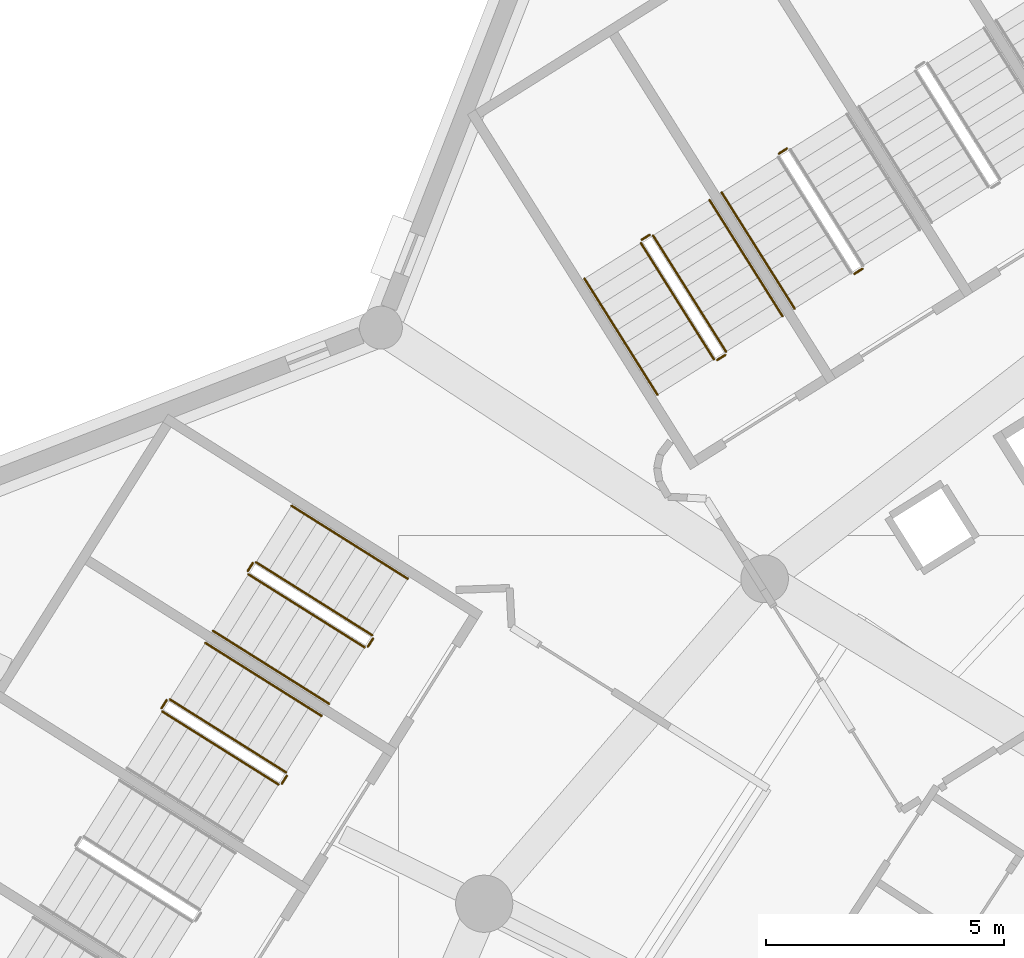
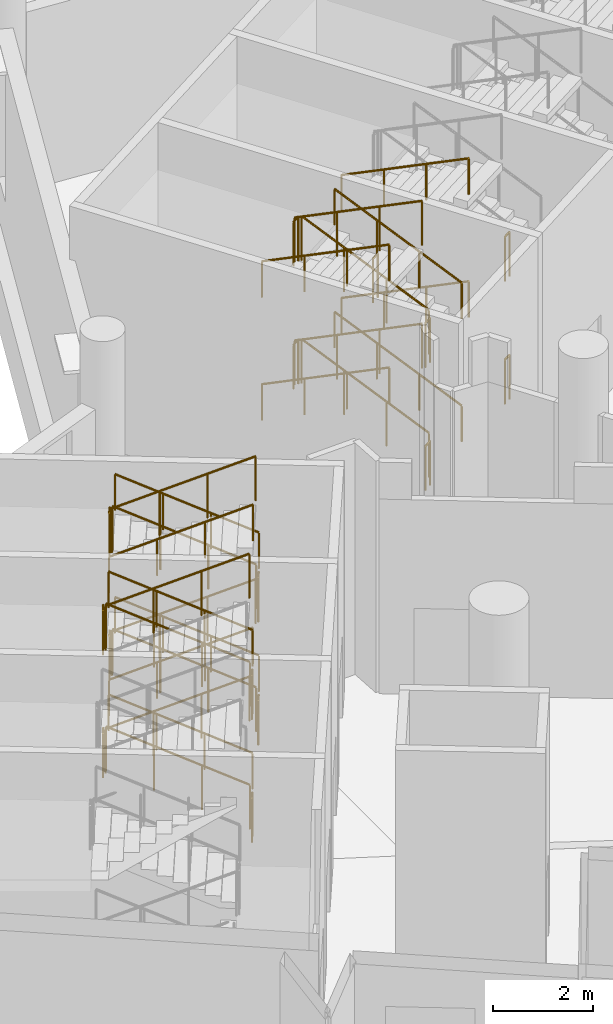
# One storey, part 234 of 249: 39 railings.
"""IFC4 building model written with IfcOpenShell, lengths in metres."""

from ifc_helpers import new_model, si_unit, direction, frame, origin, origin_2d, place, context, subcontext, project, spatial, circle, extrude, material, type_object, element, save


model = new_model("IFC4")

# Units and contexts
model_context = context("Model", 3, precision=1e-05, world=origin(), true_north=direction((0.0, 1.0)))
body_context = subcontext(model_context, "Body", "Model", "MODEL_VIEW")
ifc_project = project(units=[si_unit("LENGTHUNIT", "METRE"), si_unit("AREAUNIT", "SQUARE_METRE"), si_unit("VOLUMEUNIT", "CUBIC_METRE"), si_unit("PLANEANGLEUNIT", "RADIAN"), si_unit("MASSUNIT", "GRAM", prefix="KILO")], contexts=[model_context])

# Site, building, storey
site_placement = place(None, origin())
site = spatial("IfcSite", under=ifc_project, at=site_placement, CompositionType="ELEMENT")
building_placement = place(site_placement, origin())
building = spatial("IfcBuilding", under=site, at=building_placement, Name="Meseta Stadium", CompositionType="ELEMENT")
storey_placement = place(building_placement, frame((0.0, 0.0, 12.0)))
storey = spatial("IfcBuildingStorey", under=building, at=storey_placement, Name="L02", CompositionType="ELEMENT", Elevation=12.0)

# Railings
ifc_material_1 = material(Name="Steel S355", Category="steel")
railing_type_1 = type_object("IfcRailingType", Name="Stair guard 1100", PredefinedType="GUARDRAIL", material=ifc_material_1)
for number, where, name in (
    (1, (-71.84423828125, 88.12353515625, 1.5), "ST51 L02 guard 2"),
    (2, (-70.2587890625, 85.600341796875, 3.0), "ST51 L02 guard 4"),
    (3, (-70.2587890625, 85.600341796875, 0.0), "ST51 L02 guard 8"),
):
    element("IfcRailing", number, at=place(storey_placement, frame(where)), inside=storey, type_object=railing_type_1, Name=name, PredefinedType="GUARDRAIL", context=body_context, shape_type="SweptSolid", body=[
        extrude(circle(Radius=0.02392578125, at=origin_2d()), frame((0.0, 0.0, 1.076171875), z_axis=(-0.846416356806, -0.532521690573, 0.0), x_axis=(0.532521690573, -0.846416356806, 0.0)), (0.0, 0.0, 1.0), 0.199951171875),
        extrude(circle(Radius=0.02099609375, at=origin_2d()), origin(), (0.0, 0.0, 1.0), 1.052001953125),
        extrude(circle(Radius=0.02099609375, at=origin_2d()), frame((-0.169189453125, -0.1064453125, 0.0)), (0.0, 0.0, 1.0), 1.052001953125),
    ])
railing_1_placement = place(storey_placement, frame((-73.121826171875, 83.8603515625, 0.14990234375)))
element("IfcRailing", 4, at=railing_1_placement, inside=storey, type_object=railing_type_1, Name="ST52 L02 guard 1", PredefinedType="GUARDRAIL", context=body_context, shape_type="SweptSolid", body=[
    extrude(circle(Radius=0.02392578125, at=origin_2d()), frame((0.0, 0.0, 1.076171875), z_axis=(-0.481731036161, 0.766655447606, 0.424469826318), x_axis=(-0.846719477248, -0.53203959143, 0.0)), (0.0, 0.0, 1.0), 3.1806640625),
    extrude(circle(Radius=0.02099609375, at=origin_2d()), origin(), (0.0, 0.0, 1.0), 1.052001953125),
    extrude(circle(Radius=0.02099609375, at=origin_2d()), frame((-0.5107421875, 0.812744140625, 0.449951171875)), (0.0, 0.0, 1.0), 1.052001953125),
    extrude(circle(Radius=0.02099609375, at=origin_2d()), frame((-1.021484375, 1.625732421875, 0.900146484375)), (0.0, 0.0, 1.0), 1.052001953125),
    extrude(circle(Radius=0.02099609375, at=origin_2d()), frame((-1.5322265625, 2.4384765625, 1.35009765625)), (0.0, 0.0, 1.0), 1.052001953125),
])
railing_2_placement = place(storey_placement, frame((-74.72314453125, 86.314453125, 1.5)))
element("IfcRailing", 5, at=railing_2_placement, inside=storey, type_object=railing_type_1, Name="ST52 L02 guard 2", PredefinedType="GUARDRAIL", context=body_context, shape_type="SweptSolid", body=[
    extrude(circle(Radius=0.02392578125, at=origin_2d()), frame((0.0, 0.0, 1.076171875), z_axis=(-0.846966780732, -0.531645814745, 0.0), x_axis=(0.531645814745, -0.846966780732, 0.0)), (0.0, 0.0, 1.0), 0.19970703125),
    extrude(circle(Radius=0.02099609375, at=origin_2d()), origin(), (0.0, 0.0, 1.0), 1.052001953125),
    extrude(circle(Radius=0.02099609375, at=origin_2d()), frame((-0.169189453125, -0.106201171875, 0.0)), (0.0, 0.0, 1.0), 1.052001953125),
])
railing_3_placement = place(storey_placement, frame((-74.908203125, 86.13916015625, 1.64990234375)))
element("IfcRailing", 6, at=railing_3_placement, inside=storey, type_object=railing_type_1, Name="ST52 L02 guard 3", PredefinedType="GUARDRAIL", context=body_context, shape_type="SweptSolid", body=[
    extrude(circle(Radius=0.02392578125, at=origin_2d()), frame((0.0, 0.0, 1.076171875), z_axis=(0.481731036161, -0.766655447606, 0.424469826318), x_axis=(0.846719477248, 0.53203959143, 0.0)), (0.0, 0.0, 1.0), 3.1806640625),
    extrude(circle(Radius=0.02099609375, at=origin_2d()), origin(), (0.0, 0.0, 1.0), 1.052001953125),
    extrude(circle(Radius=0.02099609375, at=origin_2d()), frame((0.5107421875, -0.812744140625, 0.449951171875)), (0.0, 0.0, 1.0), 1.052001953125),
    extrude(circle(Radius=0.02099609375, at=origin_2d()), frame((1.021484375, -1.625732421875, 0.900146484375)), (0.0, 0.0, 1.0), 1.052001953125),
    extrude(circle(Radius=0.02099609375, at=origin_2d()), frame((1.5322265625, -2.4384765625, 1.35009765625)), (0.0, 0.0, 1.0), 1.052001953125),
])
railing_4_placement = place(storey_placement, frame((-73.1376953125, 83.791259765625, 3.0)))
element("IfcRailing", 7, at=railing_4_placement, inside=storey, type_object=railing_type_1, Name="ST52 L02 guard 4", PredefinedType="GUARDRAIL", context=body_context, shape_type="SweptSolid", body=[
    extrude(circle(Radius=0.02392578125, at=origin_2d()), frame((0.0, 0.0, 1.076171875), z_axis=(-0.846416356806, -0.532521690573, 0.0), x_axis=(0.532521690573, -0.846416356806, 0.0)), (0.0, 0.0, 1.0), 0.199951171875),
    extrude(circle(Radius=0.02099609375, at=origin_2d()), origin(), (0.0, 0.0, 1.0), 1.052001953125),
    extrude(circle(Radius=0.02099609375, at=origin_2d()), frame((-0.169189453125, -0.1064453125, 0.0)), (0.0, 0.0, 1.0), 1.052001953125),
])
railing_5_placement = place(storey_placement, frame((-73.121826171875, 83.8603515625, 3.14990234375)))
element("IfcRailing", 8, at=railing_5_placement, inside=storey, type_object=railing_type_1, Name="ST52 L02 guard 5", PredefinedType="GUARDRAIL", context=body_context, shape_type="SweptSolid", body=[
    extrude(circle(Radius=0.02392578125, at=origin_2d()), frame((0.0, 0.0, 1.076171875), z_axis=(-0.481731036161, 0.766655447606, 0.424469826318), x_axis=(-0.846719477248, -0.53203959143, 0.0)), (0.0, 0.0, 1.0), 3.1806640625),
    extrude(circle(Radius=0.02099609375, at=origin_2d()), origin(), (0.0, 0.0, 1.0), 1.052001953125),
    extrude(circle(Radius=0.02099609375, at=origin_2d()), frame((-0.5107421875, 0.812744140625, 0.449951171875)), (0.0, 0.0, 1.0), 1.052001953125),
    extrude(circle(Radius=0.02099609375, at=origin_2d()), frame((-1.021484375, 1.625732421875, 0.900146484375)), (0.0, 0.0, 1.0), 1.052001953125),
    extrude(circle(Radius=0.02099609375, at=origin_2d()), frame((-1.5322265625, 2.4384765625, 1.35009765625)), (0.0, 0.0, 1.0), 1.052001953125),
])
railing_6_placement = place(storey_placement, frame((-74.72314453125, 86.314453125, 4.5)))
element("IfcRailing", 9, at=railing_6_placement, inside=storey, type_object=railing_type_1, Name="ST52 L02 guard 6", PredefinedType="GUARDRAIL", context=body_context, shape_type="SweptSolid", body=[
    extrude(circle(Radius=0.02392578125, at=origin_2d()), frame((0.0, 0.0, 1.076171875), z_axis=(-0.846966780732, -0.531645814745, 0.0), x_axis=(0.531645814745, -0.846966780732, 0.0)), (0.0, 0.0, 1.0), 0.19970703125),
    extrude(circle(Radius=0.02099609375, at=origin_2d()), origin(), (0.0, 0.0, 1.0), 1.052001953125),
    extrude(circle(Radius=0.02099609375, at=origin_2d()), frame((-0.169189453125, -0.106201171875, 0.0)), (0.0, 0.0, 1.0), 1.052001953125),
])
railing_7_placement = place(storey_placement, frame((-74.908203125, 86.13916015625, 4.64990234375)))
element("IfcRailing", 10, at=railing_7_placement, inside=storey, type_object=railing_type_1, Name="ST52 L02 guard 7", PredefinedType="GUARDRAIL", context=body_context, shape_type="SweptSolid", body=[
    extrude(circle(Radius=0.02392578125, at=origin_2d()), frame((0.0, 0.0, 1.076171875), z_axis=(0.481731036161, -0.766655447606, 0.424469826318), x_axis=(0.846719477248, 0.53203959143, 0.0)), (0.0, 0.0, 1.0), 3.1806640625),
    extrude(circle(Radius=0.02099609375, at=origin_2d()), origin(), (0.0, 0.0, 1.0), 1.052001953125),
    extrude(circle(Radius=0.02099609375, at=origin_2d()), frame((0.5107421875, -0.812744140625, 0.449951171875)), (0.0, 0.0, 1.0), 1.052001953125),
    extrude(circle(Radius=0.02099609375, at=origin_2d()), frame((1.021484375, -1.625732421875, 0.900146484375)), (0.0, 0.0, 1.0), 1.052001953125),
    extrude(circle(Radius=0.02099609375, at=origin_2d()), frame((1.5322265625, -2.4384765625, 1.35009765625)), (0.0, 0.0, 1.0), 1.052001953125),
])
railing_8_placement = place(storey_placement, frame((-73.1376953125, 83.791259765625, 0.0)))
element("IfcRailing", 11, at=railing_8_placement, inside=storey, type_object=railing_type_1, Name="ST52 L02 guard 8", PredefinedType="GUARDRAIL", context=body_context, shape_type="SweptSolid", body=[
    extrude(circle(Radius=0.02392578125, at=origin_2d()), frame((0.0, 0.0, 1.076171875), z_axis=(-0.846416356806, -0.532521690573, 0.0), x_axis=(0.532521690573, -0.846416356806, 0.0)), (0.0, 0.0, 1.0), 0.199951171875),
    extrude(circle(Radius=0.02099609375, at=origin_2d()), origin(), (0.0, 0.0, 1.0), 1.052001953125),
    extrude(circle(Radius=0.02099609375, at=origin_2d()), frame((-0.169189453125, -0.1064453125, 0.0)), (0.0, 0.0, 1.0), 1.052001953125),
])
railing_9_placement = place(storey_placement, frame((-80.54736328125, 77.907958984375, 0.14990234375)))
element("IfcRailing", 12, at=railing_9_placement, inside=storey, type_object=railing_type_1, Name="ST53 L02 guard 1", PredefinedType="GUARDRAIL", context=body_context, shape_type="SweptSolid", body=[
    extrude(circle(Radius=0.02392578125, at=origin_2d()), frame((0.0, 0.0, 1.076171875), z_axis=(-0.766655447606, 0.481731036161, 0.424469826318), x_axis=(-0.53203959143, -0.846719477248, 0.0)), (0.0, 0.0, 1.0), 3.1806640625),
    extrude(circle(Radius=0.02099609375, at=origin_2d()), origin(), (0.0, 0.0, 1.0), 1.052001953125),
    extrude(circle(Radius=0.02099609375, at=origin_2d()), frame((-0.812744140625, 0.5107421875, 0.449951171875)), (0.0, 0.0, 1.0), 1.052001953125),
    extrude(circle(Radius=0.02099609375, at=origin_2d()), frame((-1.625732421875, 1.021484375, 0.900146484375)), (0.0, 0.0, 1.0), 1.052001953125),
    extrude(circle(Radius=0.02099609375, at=origin_2d()), frame((-2.4384765625, 1.5322265625, 1.35009765625)), (0.0, 0.0, 1.0), 1.052001953125),
])
railing_10_placement = place(storey_placement, frame((-83.054931640625, 79.42431640625, 1.5)))
element("IfcRailing", 13, at=railing_10_placement, inside=storey, type_object=railing_type_1, Name="ST53 L02 guard 2", PredefinedType="GUARDRAIL", context=body_context, shape_type="SweptSolid", body=[
    extrude(circle(Radius=0.02392578125, at=origin_2d()), frame((0.0, 0.0, 1.076171875), z_axis=(-0.532521690573, -0.846416356806, 0.0), x_axis=(0.846416356806, -0.532521690573, 0.0)), (0.0, 0.0, 1.0), 0.199951171875),
    extrude(circle(Radius=0.02099609375, at=origin_2d()), origin(), (0.0, 0.0, 1.0), 1.052001953125),
    extrude(circle(Radius=0.02099609375, at=origin_2d()), frame((-0.1064453125, -0.169189453125, 0.0)), (0.0, 0.0, 1.0), 1.052001953125),
])
railing_11_placement = place(storey_placement, frame((-83.1455078125, 79.18603515625, 1.64990234375)))
element("IfcRailing", 14, at=railing_11_placement, inside=storey, type_object=railing_type_1, Name="ST53 L02 guard 3", PredefinedType="GUARDRAIL", context=body_context, shape_type="SweptSolid", body=[
    extrude(circle(Radius=0.02392578125, at=origin_2d()), frame((0.0, 0.0, 1.076171875), z_axis=(0.766655447606, -0.481731036161, 0.424469826318), x_axis=(0.53203959143, 0.846719477248, 0.0)), (0.0, 0.0, 1.0), 3.1806640625),
    extrude(circle(Radius=0.02099609375, at=origin_2d()), origin(), (0.0, 0.0, 1.0), 1.052001953125),
    extrude(circle(Radius=0.02099609375, at=origin_2d()), frame((0.812744140625, -0.5107421875, 0.449951171875)), (0.0, 0.0, 1.0), 1.052001953125),
    extrude(circle(Radius=0.02099609375, at=origin_2d()), frame((1.625732421875, -1.021484375, 0.900146484375)), (0.0, 0.0, 1.0), 1.052001953125),
    extrude(circle(Radius=0.02099609375, at=origin_2d()), frame((2.4384765625, -1.5322265625, 1.35009765625)), (0.0, 0.0, 1.0), 1.052001953125),
])
railing_12_placement = place(storey_placement, frame((-80.53173828125, 77.8388671875, 3.0)))
element("IfcRailing", 15, at=railing_12_placement, inside=storey, type_object=railing_type_1, Name="ST53 L02 guard 4", PredefinedType="GUARDRAIL", context=body_context, shape_type="SweptSolid", body=[
    extrude(circle(Radius=0.02392578125, at=origin_2d()), frame((0.0, 0.0, 1.076171875), z_axis=(-0.531645814745, -0.846966780732, 0.0), x_axis=(0.846966780732, -0.531645814745, 0.0)), (0.0, 0.0, 1.0), 0.19970703125),
    extrude(circle(Radius=0.02099609375, at=origin_2d()), origin(), (0.0, 0.0, 1.0), 1.052001953125),
    extrude(circle(Radius=0.02099609375, at=origin_2d()), frame((-0.106201171875, -0.169189453125, 0.0)), (0.0, 0.0, 1.0), 1.052001953125),
])
railing_13_placement = place(storey_placement, frame((-80.54736328125, 77.907958984375, 3.14990234375)))
element("IfcRailing", 16, at=railing_13_placement, inside=storey, type_object=railing_type_1, Name="ST53 L02 guard 5", PredefinedType="GUARDRAIL", context=body_context, shape_type="SweptSolid", body=[
    extrude(circle(Radius=0.02392578125, at=origin_2d()), frame((0.0, 0.0, 1.076171875), z_axis=(-0.766655447606, 0.481731036161, 0.424469826318), x_axis=(-0.53203959143, -0.846719477248, 0.0)), (0.0, 0.0, 1.0), 3.1806640625),
    extrude(circle(Radius=0.02099609375, at=origin_2d()), origin(), (0.0, 0.0, 1.0), 1.052001953125),
    extrude(circle(Radius=0.02099609375, at=origin_2d()), frame((-0.812744140625, 0.5107421875, 0.449951171875)), (0.0, 0.0, 1.0), 1.052001953125),
    extrude(circle(Radius=0.02099609375, at=origin_2d()), frame((-1.625732421875, 1.021484375, 0.900146484375)), (0.0, 0.0, 1.0), 1.052001953125),
    extrude(circle(Radius=0.02099609375, at=origin_2d()), frame((-2.4384765625, 1.5322265625, 1.35009765625)), (0.0, 0.0, 1.0), 1.052001953125),
])
railing_14_placement = place(storey_placement, frame((-83.054931640625, 79.42431640625, 4.5)))
element("IfcRailing", 17, at=railing_14_placement, inside=storey, type_object=railing_type_1, Name="ST53 L02 guard 6", PredefinedType="GUARDRAIL", context=body_context, shape_type="SweptSolid", body=[
    extrude(circle(Radius=0.02392578125, at=origin_2d()), frame((0.0, 0.0, 1.076171875), z_axis=(-0.532521690573, -0.846416356806, 0.0), x_axis=(0.846416356806, -0.532521690573, 0.0)), (0.0, 0.0, 1.0), 0.199951171875),
    extrude(circle(Radius=0.02099609375, at=origin_2d()), origin(), (0.0, 0.0, 1.0), 1.052001953125),
    extrude(circle(Radius=0.02099609375, at=origin_2d()), frame((-0.1064453125, -0.169189453125, 0.0)), (0.0, 0.0, 1.0), 1.052001953125),
])
railing_15_placement = place(storey_placement, frame((-83.1455078125, 79.18603515625, 4.64990234375)))
element("IfcRailing", 18, at=railing_15_placement, inside=storey, type_object=railing_type_1, Name="ST53 L02 guard 7", PredefinedType="GUARDRAIL", context=body_context, shape_type="SweptSolid", body=[
    extrude(circle(Radius=0.02392578125, at=origin_2d()), frame((0.0, 0.0, 1.076171875), z_axis=(0.766655447606, -0.481731036161, 0.424469826318), x_axis=(0.53203959143, 0.846719477248, 0.0)), (0.0, 0.0, 1.0), 3.1806640625),
    extrude(circle(Radius=0.02099609375, at=origin_2d()), origin(), (0.0, 0.0, 1.0), 1.052001953125),
    extrude(circle(Radius=0.02099609375, at=origin_2d()), frame((0.812744140625, -0.5107421875, 0.449951171875)), (0.0, 0.0, 1.0), 1.052001953125),
    extrude(circle(Radius=0.02099609375, at=origin_2d()), frame((1.625732421875, -1.021484375, 0.900146484375)), (0.0, 0.0, 1.0), 1.052001953125),
    extrude(circle(Radius=0.02099609375, at=origin_2d()), frame((2.4384765625, -1.5322265625, 1.35009765625)), (0.0, 0.0, 1.0), 1.052001953125),
])
railing_16_placement = place(storey_placement, frame((-80.53173828125, 77.8388671875, 0.0)))
element("IfcRailing", 19, at=railing_16_placement, inside=storey, type_object=railing_type_1, Name="ST53 L02 guard 8", PredefinedType="GUARDRAIL", context=body_context, shape_type="SweptSolid", body=[
    extrude(circle(Radius=0.02392578125, at=origin_2d()), frame((0.0, 0.0, 1.076171875), z_axis=(-0.531645814745, -0.846966780732, 0.0), x_axis=(0.846966780732, -0.531645814745, 0.0)), (0.0, 0.0, 1.0), 0.19970703125),
    extrude(circle(Radius=0.02099609375, at=origin_2d()), origin(), (0.0, 0.0, 1.0), 1.052001953125),
    extrude(circle(Radius=0.02099609375, at=origin_2d()), frame((-0.106201171875, -0.169189453125, 0.0)), (0.0, 0.0, 1.0), 1.052001953125),
])
railing_17_placement = place(storey_placement, frame((-82.356201171875, 75.029052734375, 0.14990234375)))
element("IfcRailing", 20, at=railing_17_placement, inside=storey, type_object=railing_type_1, Name="ST54 L02 guard 1", PredefinedType="GUARDRAIL", context=body_context, shape_type="SweptSolid", body=[
    extrude(circle(Radius=0.02392578125, at=origin_2d()), frame((0.0, 0.0, 1.076171875), z_axis=(-0.766687087345, 0.481702688975, 0.424444848635), x_axis=(-0.532001404082, -0.84674347122, 0.0)), (0.0, 0.0, 1.0), 3.180908203125),
    extrude(circle(Radius=0.02099609375, at=origin_2d()), origin(), (0.0, 0.0, 1.0), 1.052001953125),
    extrude(circle(Radius=0.02099609375, at=origin_2d()), frame((-0.81298828125, 0.5107421875, 0.449951171875)), (0.0, 0.0, 1.0), 1.052001953125),
    extrude(circle(Radius=0.02099609375, at=origin_2d()), frame((-1.625732421875, 1.021484375, 0.900146484375)), (0.0, 0.0, 1.0), 1.052001953125),
    extrude(circle(Radius=0.02099609375, at=origin_2d()), frame((-2.438720703125, 1.5322265625, 1.35009765625)), (0.0, 0.0, 1.0), 1.052001953125),
])
railing_18_placement = place(storey_placement, frame((-84.86376953125, 76.545654296875, 1.5)))
element("IfcRailing", 21, at=railing_18_placement, inside=storey, type_object=railing_type_1, Name="ST54 L02 guard 2", PredefinedType="GUARDRAIL", context=body_context, shape_type="SweptSolid", body=[
    extrude(circle(Radius=0.02392578125, at=origin_2d()), frame((0.0, 0.0, 1.076171875), z_axis=(-0.531971628011, -0.846762178531, 0.0), x_axis=(0.846762178531, -0.531971628011, 0.0)), (0.0, 0.0, 1.0), 0.2001953125),
    extrude(circle(Radius=0.02099609375, at=origin_2d()), origin(), (0.0, 0.0, 1.0), 1.052001953125),
    extrude(circle(Radius=0.02099609375, at=origin_2d()), frame((-0.1064453125, -0.16943359375, 0.0)), (0.0, 0.0, 1.0), 1.052001953125),
])
railing_19_placement = place(storey_placement, frame((-84.954345703125, 76.307373046875, 1.64990234375)))
element("IfcRailing", 22, at=railing_19_placement, inside=storey, type_object=railing_type_1, Name="ST54 L02 guard 3", PredefinedType="GUARDRAIL", context=body_context, shape_type="SweptSolid", body=[
    extrude(circle(Radius=0.02392578125, at=origin_2d()), frame((0.0, 0.0, 1.076171875), z_axis=(0.766655447606, -0.481731036161, 0.424469826318), x_axis=(0.53203959143, 0.846719477248, 0.0)), (0.0, 0.0, 1.0), 3.1806640625),
    extrude(circle(Radius=0.02099609375, at=origin_2d()), origin(), (0.0, 0.0, 1.0), 1.052001953125),
    extrude(circle(Radius=0.02099609375, at=origin_2d()), frame((0.812744140625, -0.5107421875, 0.449951171875)), (0.0, 0.0, 1.0), 1.052001953125),
    extrude(circle(Radius=0.02099609375, at=origin_2d()), frame((1.625732421875, -1.021484375, 0.900146484375)), (0.0, 0.0, 1.0), 1.052001953125),
    extrude(circle(Radius=0.02099609375, at=origin_2d()), frame((2.4384765625, -1.5322265625, 1.35009765625)), (0.0, 0.0, 1.0), 1.052001953125),
])
railing_20_placement = place(storey_placement, frame((-82.340576171875, 74.960205078125, 3.0)))
element("IfcRailing", 23, at=railing_20_placement, inside=storey, type_object=railing_type_1, Name="ST54 L02 guard 4", PredefinedType="GUARDRAIL", context=body_context, shape_type="SweptSolid", body=[
    extrude(circle(Radius=0.02392578125, at=origin_2d()), frame((0.0, 0.0, 1.076171875), z_axis=(-0.531971628011, -0.846762178531, 0.0), x_axis=(0.846762178531, -0.531971628011, 0.0)), (0.0, 0.0, 1.0), 0.2001953125),
    extrude(circle(Radius=0.02099609375, at=origin_2d()), origin(), (0.0, 0.0, 1.0), 1.052001953125),
    extrude(circle(Radius=0.02099609375, at=origin_2d()), frame((-0.1064453125, -0.16943359375, 0.0)), (0.0, 0.0, 1.0), 1.052001953125),
])
railing_21_placement = place(storey_placement, frame((-82.356201171875, 75.029052734375, 3.14990234375)))
element("IfcRailing", 24, at=railing_21_placement, inside=storey, type_object=railing_type_1, Name="ST54 L02 guard 5", PredefinedType="GUARDRAIL", context=body_context, shape_type="SweptSolid", body=[
    extrude(circle(Radius=0.02392578125, at=origin_2d()), frame((0.0, 0.0, 1.076171875), z_axis=(-0.766687087345, 0.481702688975, 0.424444848635), x_axis=(-0.532001404082, -0.84674347122, 0.0)), (0.0, 0.0, 1.0), 3.180908203125),
    extrude(circle(Radius=0.02099609375, at=origin_2d()), origin(), (0.0, 0.0, 1.0), 1.052001953125),
    extrude(circle(Radius=0.02099609375, at=origin_2d()), frame((-0.81298828125, 0.5107421875, 0.449951171875)), (0.0, 0.0, 1.0), 1.052001953125),
    extrude(circle(Radius=0.02099609375, at=origin_2d()), frame((-1.625732421875, 1.021484375, 0.900146484375)), (0.0, 0.0, 1.0), 1.052001953125),
    extrude(circle(Radius=0.02099609375, at=origin_2d()), frame((-2.438720703125, 1.5322265625, 1.35009765625)), (0.0, 0.0, 1.0), 1.052001953125),
])
railing_22_placement = place(storey_placement, frame((-84.86376953125, 76.545654296875, 4.5)))
element("IfcRailing", 25, at=railing_22_placement, inside=storey, type_object=railing_type_1, Name="ST54 L02 guard 6", PredefinedType="GUARDRAIL", context=body_context, shape_type="SweptSolid", body=[
    extrude(circle(Radius=0.02392578125, at=origin_2d()), frame((0.0, 0.0, 1.076171875), z_axis=(-0.531971628011, -0.846762178531, 0.0), x_axis=(0.846762178531, -0.531971628011, 0.0)), (0.0, 0.0, 1.0), 0.2001953125),
    extrude(circle(Radius=0.02099609375, at=origin_2d()), origin(), (0.0, 0.0, 1.0), 1.052001953125),
    extrude(circle(Radius=0.02099609375, at=origin_2d()), frame((-0.1064453125, -0.16943359375, 0.0)), (0.0, 0.0, 1.0), 1.052001953125),
])
railing_23_placement = place(storey_placement, frame((-84.954345703125, 76.307373046875, 4.64990234375)))
element("IfcRailing", 26, at=railing_23_placement, inside=storey, type_object=railing_type_1, Name="ST54 L02 guard 7", PredefinedType="GUARDRAIL", context=body_context, shape_type="SweptSolid", body=[
    extrude(circle(Radius=0.02392578125, at=origin_2d()), frame((0.0, 0.0, 1.076171875), z_axis=(0.766655447606, -0.481731036161, 0.424469826318), x_axis=(0.53203959143, 0.846719477248, 0.0)), (0.0, 0.0, 1.0), 3.1806640625),
    extrude(circle(Radius=0.02099609375, at=origin_2d()), origin(), (0.0, 0.0, 1.0), 1.052001953125),
    extrude(circle(Radius=0.02099609375, at=origin_2d()), frame((0.812744140625, -0.5107421875, 0.449951171875)), (0.0, 0.0, 1.0), 1.052001953125),
    extrude(circle(Radius=0.02099609375, at=origin_2d()), frame((1.625732421875, -1.021484375, 0.900146484375)), (0.0, 0.0, 1.0), 1.052001953125),
    extrude(circle(Radius=0.02099609375, at=origin_2d()), frame((2.4384765625, -1.5322265625, 1.35009765625)), (0.0, 0.0, 1.0), 1.052001953125),
])
railing_24_placement = place(storey_placement, frame((-82.340576171875, 74.960205078125, 0.0)))
element("IfcRailing", 27, at=railing_24_placement, inside=storey, type_object=railing_type_1, Name="ST54 L02 guard 8", PredefinedType="GUARDRAIL", context=body_context, shape_type="SweptSolid", body=[
    extrude(circle(Radius=0.02392578125, at=origin_2d()), frame((0.0, 0.0, 1.076171875), z_axis=(-0.531971628011, -0.846762178531, 0.0), x_axis=(0.846762178531, -0.531971628011, 0.0)), (0.0, 0.0, 1.0), 0.2001953125),
    extrude(circle(Radius=0.02099609375, at=origin_2d()), origin(), (0.0, 0.0, 1.0), 1.052001953125),
    extrude(circle(Radius=0.02099609375, at=origin_2d()), frame((-0.1064453125, -0.16943359375, 0.0)), (0.0, 0.0, 1.0), 1.052001953125),
])
ifc_material_2 = material(Name="Steel S355", Category="steel")
railing_type_2 = type_object("IfcRailingType", Name="Stair handrail 900", PredefinedType="HANDRAIL", material=ifc_material_2)
for number, where, name in (
    (28, (-73.214599609375, 87.203369140625, 1.64990234375), "ST51 L02 handrail 2"),
    (29, (-73.214599609375, 87.203369140625, 4.64990234375), "ST51 L02 handrail 4"),
):
    element("IfcRailing", number, at=place(storey_placement, frame(where)), inside=storey, type_object=railing_type_2, Name=name, PredefinedType="HANDRAIL", context=body_context, shape_type="SweptSolid", body=[
        extrude(circle(Radius=0.02392578125, at=origin_2d()), frame((0.0, 0.0, 0.8759765625), z_axis=(0.481702688975, -0.766687087345, 0.424444848635), x_axis=(0.84674347122, 0.532001404082, 0.0)), (0.0, 0.0, 1.0), 3.180908203125),
        extrude(circle(Radius=0.02099609375, at=origin_2d()), origin(), (0.0, 0.0, 1.0), 0.851806640625),
        extrude(circle(Radius=0.02099609375, at=origin_2d()), frame((0.5107421875, -0.81298828125, 0.449951171875)), (0.0, 0.0, 1.0), 0.851806640625),
        extrude(circle(Radius=0.02099609375, at=origin_2d()), frame((1.021484375, -1.625732421875, 0.900146484375)), (0.0, 0.0, 1.0), 0.851806640625),
        extrude(circle(Radius=0.02099609375, at=origin_2d()), frame((1.5322265625, -2.438720703125, 1.35009765625)), (0.0, 0.0, 1.0), 0.851806640625),
    ])
railing_25_placement = place(storey_placement, frame((-71.9365234375, 84.60498046875, 0.14990234375)))
element("IfcRailing", 30, at=railing_25_placement, inside=storey, type_object=railing_type_2, Name="ST52 L02 handrail 1", PredefinedType="HANDRAIL", context=body_context, shape_type="SweptSolid", body=[
    extrude(circle(Radius=0.02392578125, at=origin_2d()), frame((0.0, 0.0, 0.8759765625), z_axis=(-0.481702688975, 0.766687087345, 0.424444848635), x_axis=(-0.84674347122, -0.532001404082, 0.0)), (0.0, 0.0, 1.0), 3.180908203125),
    extrude(circle(Radius=0.02099609375, at=origin_2d()), origin(), (0.0, 0.0, 1.0), 0.851806640625),
    extrude(circle(Radius=0.02099609375, at=origin_2d()), frame((-0.5107421875, 0.81298828125, 0.449951171875)), (0.0, 0.0, 1.0), 0.851806640625),
    extrude(circle(Radius=0.02099609375, at=origin_2d()), frame((-1.021484375, 1.625732421875, 0.900146484375)), (0.0, 0.0, 1.0), 0.851806640625),
    extrude(circle(Radius=0.02099609375, at=origin_2d()), frame((-1.5322265625, 2.438720703125, 1.35009765625)), (0.0, 0.0, 1.0), 0.851806640625),
])
railing_26_placement = place(storey_placement, frame((-76.093505859375, 85.394287109375, 1.64990234375)))
element("IfcRailing", 31, at=railing_26_placement, inside=storey, type_object=railing_type_2, Name="ST52 L02 handrail 2", PredefinedType="HANDRAIL", context=body_context, shape_type="SweptSolid", body=[
    extrude(circle(Radius=0.02392578125, at=origin_2d()), frame((0.0, 0.0, 0.8759765625), z_axis=(0.481731036161, -0.766655447606, 0.424469826318), x_axis=(0.846719477248, 0.53203959143, 0.0)), (0.0, 0.0, 1.0), 3.1806640625),
    extrude(circle(Radius=0.02099609375, at=origin_2d()), origin(), (0.0, 0.0, 1.0), 0.851806640625),
    extrude(circle(Radius=0.02099609375, at=origin_2d()), frame((0.5107421875, -0.812744140625, 0.449951171875)), (0.0, 0.0, 1.0), 0.851806640625),
    extrude(circle(Radius=0.02099609375, at=origin_2d()), frame((1.021484375, -1.625732421875, 0.900146484375)), (0.0, 0.0, 1.0), 0.851806640625),
    extrude(circle(Radius=0.02099609375, at=origin_2d()), frame((1.5322265625, -2.4384765625, 1.35009765625)), (0.0, 0.0, 1.0), 0.851806640625),
])
railing_27_placement = place(storey_placement, frame((-71.9365234375, 84.60498046875, 3.14990234375)))
element("IfcRailing", 32, at=railing_27_placement, inside=storey, type_object=railing_type_2, Name="ST52 L02 handrail 3", PredefinedType="HANDRAIL", context=body_context, shape_type="SweptSolid", body=[
    extrude(circle(Radius=0.02392578125, at=origin_2d()), frame((0.0, 0.0, 0.8759765625), z_axis=(-0.481702688975, 0.766687087345, 0.424444848635), x_axis=(-0.84674347122, -0.532001404082, 0.0)), (0.0, 0.0, 1.0), 3.180908203125),
    extrude(circle(Radius=0.02099609375, at=origin_2d()), origin(), (0.0, 0.0, 1.0), 0.851806640625),
    extrude(circle(Radius=0.02099609375, at=origin_2d()), frame((-0.5107421875, 0.81298828125, 0.449951171875)), (0.0, 0.0, 1.0), 0.851806640625),
    extrude(circle(Radius=0.02099609375, at=origin_2d()), frame((-1.021484375, 1.625732421875, 0.900146484375)), (0.0, 0.0, 1.0), 0.851806640625),
    extrude(circle(Radius=0.02099609375, at=origin_2d()), frame((-1.5322265625, 2.438720703125, 1.35009765625)), (0.0, 0.0, 1.0), 0.851806640625),
])
railing_28_placement = place(storey_placement, frame((-76.093505859375, 85.394287109375, 4.64990234375)))
element("IfcRailing", 33, at=railing_28_placement, inside=storey, type_object=railing_type_2, Name="ST52 L02 handrail 4", PredefinedType="HANDRAIL", context=body_context, shape_type="SweptSolid", body=[
    extrude(circle(Radius=0.02392578125, at=origin_2d()), frame((0.0, 0.0, 0.8759765625), z_axis=(0.481731036161, -0.766655447606, 0.424469826318), x_axis=(0.846719477248, 0.53203959143, 0.0)), (0.0, 0.0, 1.0), 3.1806640625),
    extrude(circle(Radius=0.02099609375, at=origin_2d()), origin(), (0.0, 0.0, 1.0), 0.851806640625),
    extrude(circle(Radius=0.02099609375, at=origin_2d()), frame((0.5107421875, -0.812744140625, 0.449951171875)), (0.0, 0.0, 1.0), 0.851806640625),
    extrude(circle(Radius=0.02099609375, at=origin_2d()), frame((1.021484375, -1.625732421875, 0.900146484375)), (0.0, 0.0, 1.0), 0.851806640625),
    extrude(circle(Radius=0.02099609375, at=origin_2d()), frame((1.5322265625, -2.4384765625, 1.35009765625)), (0.0, 0.0, 1.0), 0.851806640625),
])
railing_29_placement = place(storey_placement, frame((-79.802490234375, 79.09326171875, 0.14990234375)))
element("IfcRailing", 34, at=railing_29_placement, inside=storey, type_object=railing_type_2, Name="ST53 L02 handrail 1", PredefinedType="HANDRAIL", context=body_context, shape_type="SweptSolid", body=[
    extrude(circle(Radius=0.02392578125, at=origin_2d()), frame((0.0, 0.0, 0.8759765625), z_axis=(-0.766687087345, 0.481702688975, 0.424444848635), x_axis=(-0.532001404082, -0.84674347122, 0.0)), (0.0, 0.0, 1.0), 3.180908203125),
    extrude(circle(Radius=0.02099609375, at=origin_2d()), origin(), (0.0, 0.0, 1.0), 0.851806640625),
    extrude(circle(Radius=0.02099609375, at=origin_2d()), frame((-0.81298828125, 0.5107421875, 0.449951171875)), (0.0, 0.0, 1.0), 0.851806640625),
    extrude(circle(Radius=0.02099609375, at=origin_2d()), frame((-1.625732421875, 1.021484375, 0.900146484375)), (0.0, 0.0, 1.0), 0.851806640625),
    extrude(circle(Radius=0.02099609375, at=origin_2d()), frame((-2.438720703125, 1.5322265625, 1.35009765625)), (0.0, 0.0, 1.0), 0.851806640625),
])
railing_30_placement = place(storey_placement, frame((-83.890380859375, 78.000732421875, 1.64990234375)))
element("IfcRailing", 35, at=railing_30_placement, inside=storey, type_object=railing_type_2, Name="ST53 L02 handrail 2", PredefinedType="HANDRAIL", context=body_context, shape_type="SweptSolid", body=[
    extrude(circle(Radius=0.02392578125, at=origin_2d()), frame((0.0, 0.0, 0.8759765625), z_axis=(0.766655447606, -0.481731036161, 0.424469826318), x_axis=(0.53203959143, 0.846719477248, 0.0)), (0.0, 0.0, 1.0), 3.1806640625),
    extrude(circle(Radius=0.02099609375, at=origin_2d()), origin(), (0.0, 0.0, 1.0), 0.851806640625),
    extrude(circle(Radius=0.02099609375, at=origin_2d()), frame((0.812744140625, -0.5107421875, 0.449951171875)), (0.0, 0.0, 1.0), 0.851806640625),
    extrude(circle(Radius=0.02099609375, at=origin_2d()), frame((1.625732421875, -1.021484375, 0.900146484375)), (0.0, 0.0, 1.0), 0.851806640625),
    extrude(circle(Radius=0.02099609375, at=origin_2d()), frame((2.4384765625, -1.5322265625, 1.35009765625)), (0.0, 0.0, 1.0), 0.851806640625),
])
railing_31_placement = place(storey_placement, frame((-79.802490234375, 79.09326171875, 3.14990234375)))
element("IfcRailing", 36, at=railing_31_placement, inside=storey, type_object=railing_type_2, Name="ST53 L02 handrail 3", PredefinedType="HANDRAIL", context=body_context, shape_type="SweptSolid", body=[
    extrude(circle(Radius=0.02392578125, at=origin_2d()), frame((0.0, 0.0, 0.8759765625), z_axis=(-0.766687087345, 0.481702688975, 0.424444848635), x_axis=(-0.532001404082, -0.84674347122, 0.0)), (0.0, 0.0, 1.0), 3.180908203125),
    extrude(circle(Radius=0.02099609375, at=origin_2d()), origin(), (0.0, 0.0, 1.0), 0.851806640625),
    extrude(circle(Radius=0.02099609375, at=origin_2d()), frame((-0.81298828125, 0.5107421875, 0.449951171875)), (0.0, 0.0, 1.0), 0.851806640625),
    extrude(circle(Radius=0.02099609375, at=origin_2d()), frame((-1.625732421875, 1.021484375, 0.900146484375)), (0.0, 0.0, 1.0), 0.851806640625),
    extrude(circle(Radius=0.02099609375, at=origin_2d()), frame((-2.438720703125, 1.5322265625, 1.35009765625)), (0.0, 0.0, 1.0), 0.851806640625),
])
railing_32_placement = place(storey_placement, frame((-83.890380859375, 78.000732421875, 4.64990234375)))
element("IfcRailing", 37, at=railing_32_placement, inside=storey, type_object=railing_type_2, Name="ST53 L02 handrail 4", PredefinedType="HANDRAIL", context=body_context, shape_type="SweptSolid", body=[
    extrude(circle(Radius=0.02392578125, at=origin_2d()), frame((0.0, 0.0, 0.8759765625), z_axis=(0.766655447606, -0.481731036161, 0.424469826318), x_axis=(0.53203959143, 0.846719477248, 0.0)), (0.0, 0.0, 1.0), 3.1806640625),
    extrude(circle(Radius=0.02099609375, at=origin_2d()), origin(), (0.0, 0.0, 1.0), 0.851806640625),
    extrude(circle(Radius=0.02099609375, at=origin_2d()), frame((0.812744140625, -0.5107421875, 0.449951171875)), (0.0, 0.0, 1.0), 0.851806640625),
    extrude(circle(Radius=0.02099609375, at=origin_2d()), frame((1.625732421875, -1.021484375, 0.900146484375)), (0.0, 0.0, 1.0), 0.851806640625),
    extrude(circle(Radius=0.02099609375, at=origin_2d()), frame((2.4384765625, -1.5322265625, 1.35009765625)), (0.0, 0.0, 1.0), 0.851806640625),
])
for number, where, name in (
    (38, (-81.611328125, 76.21435546875, 0.14990234375), "ST54 L02 handrail 1"),
    (39, (-81.611328125, 76.21435546875, 3.14990234375), "ST54 L02 handrail 3"),
):
    element("IfcRailing", number, at=place(storey_placement, frame(where)), inside=storey, type_object=railing_type_2, Name=name, PredefinedType="HANDRAIL", context=body_context, shape_type="SweptSolid", body=[
        extrude(circle(Radius=0.02392578125, at=origin_2d()), frame((0.0, 0.0, 0.8759765625), z_axis=(-0.766658740556, 0.481761629239, 0.424429155599), x_axis=(-0.532062176173, -0.846705285613, 0.0)), (0.0, 0.0, 1.0), 3.180908203125),
        extrude(circle(Radius=0.02099609375, at=origin_2d()), origin(), (0.0, 0.0, 1.0), 0.851806640625),
        extrude(circle(Radius=0.02099609375, at=origin_2d()), frame((-0.81298828125, 0.5107421875, 0.449951171875)), (0.0, 0.0, 1.0), 0.851806640625),
        extrude(circle(Radius=0.02099609375, at=origin_2d()), frame((-1.625732421875, 1.021728515625, 0.900146484375)), (0.0, 0.0, 1.0), 0.851806640625),
        extrude(circle(Radius=0.02099609375, at=origin_2d()), frame((-2.438720703125, 1.532470703125, 1.35009765625)), (0.0, 0.0, 1.0), 0.851806640625),
    ])

save(model, "model.ifc")
